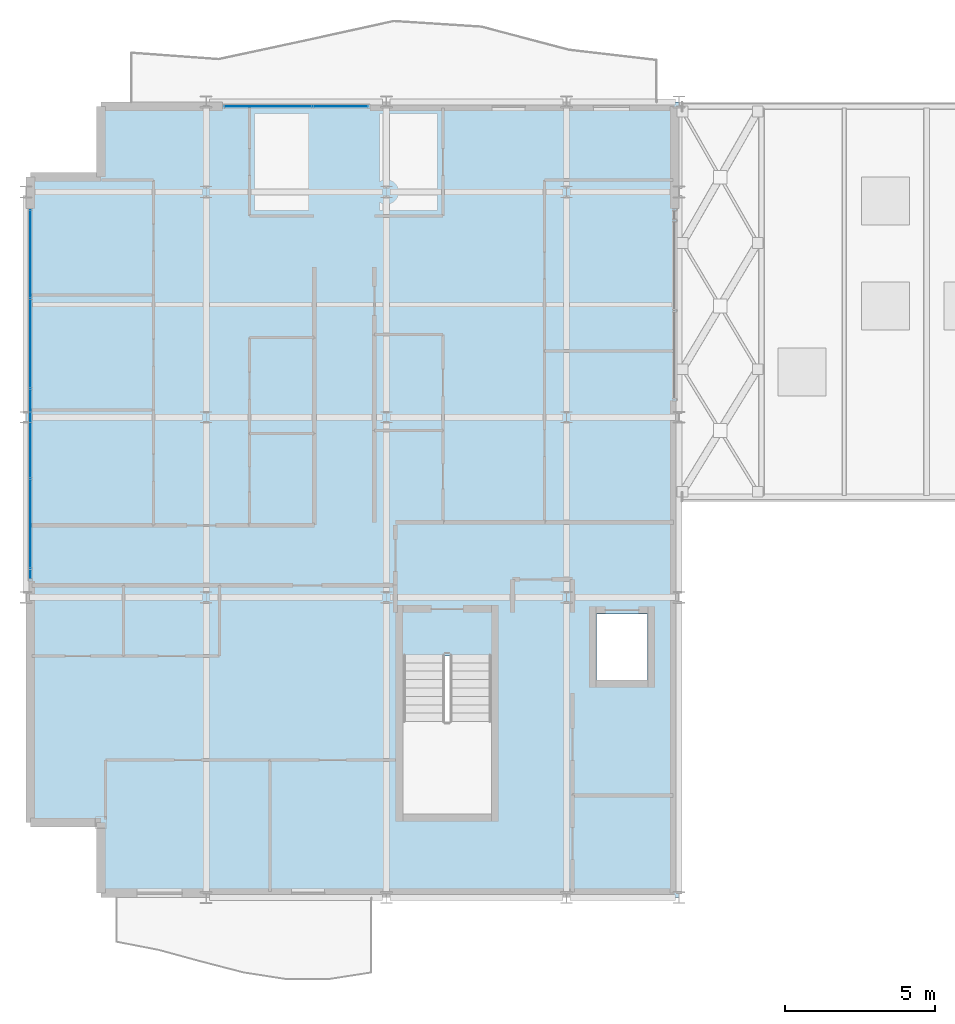
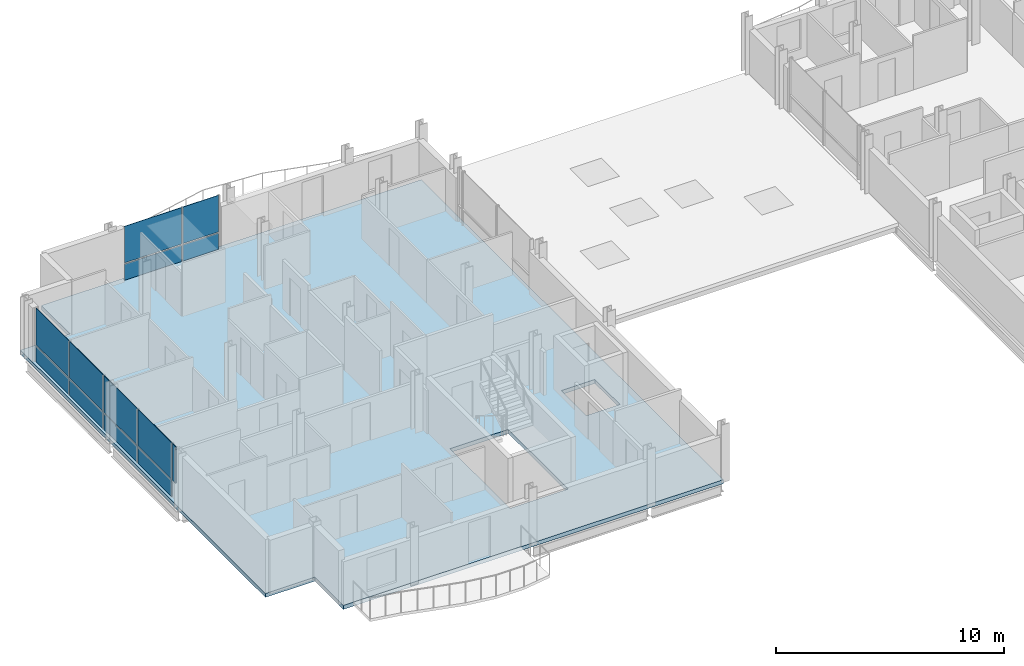
# One storey, part 20 of 33: 13 plates, 1 slab, 2 elements without a shape of their own.
"""IFC4 building model written with IfcOpenShell, lengths in metres."""

from ifc_helpers import new_model, si_unit, direction, frame, origin, origin_2d, place, context, subcontext, project, spatial, polyline, rectangle, outline, extrude, material, layer, layer_set, type_object, element, aggregate, save


model = new_model("IFC4")

# Units and contexts
model_context = context("Model", 3, precision=1e-05, world=origin(), true_north=direction((0.0, 1.0)))
body_context = subcontext(model_context, "Body", "Model", "MODEL_VIEW")
ifc_project = project(units=[si_unit("LENGTHUNIT", "METRE"), si_unit("AREAUNIT", "SQUARE_METRE"), si_unit("VOLUMEUNIT", "CUBIC_METRE"), si_unit("PLANEANGLEUNIT", "RADIAN"), si_unit("MASSUNIT", "GRAM", prefix="KILO")], contexts=[model_context])

# Site, building, storey
site_placement = place(None, origin())
site = spatial("IfcSite", under=ifc_project, at=site_placement, CompositionType="ELEMENT")
building_placement = place(site_placement, origin())
building = spatial("IfcBuilding", under=site, at=building_placement, Name="Brevholm Reach", CompositionType="ELEMENT")
storey_placement = place(building_placement, frame((0.0, 0.0, 189.39990234375)))
storey = spatial("IfcBuildingStorey", under=building, at=storey_placement, Name="L57", CompositionType="ELEMENT", Elevation=189.39990234375)

# Curtain wall, plates
ifc_material_1 = material(Name="Dark Anodised Aluminium 6063-T6 and Solar-Control Glass", Category="aluminium")
ifc_layer_1 = layer(ifc_material_1, 0.14990234375)
ifc_layer_set_1 = layer_set([ifc_layer_1], Name="Dark Anodised Aluminium 6063-T6 and Solar-Control Glass")
curtain_wall_type = type_object("IfcCurtainWallType", Name="CW-01", PredefinedType="NOTDEFINED", material=ifc_layer_set_1)
curtain_wall_1_placement = place(storey_placement, origin())
curtain_wall_1 = element("IfcCurtainWall", 1, at=curtain_wall_1_placement, inside=storey, type_object=curtain_wall_type, Name="L57 Curtain Wall CW-01", PredefinedType="NOTDEFINED")
ifc_material_2 = material(Name="Dark Solar-Control Double-Glazed IGU Glass", Category="glass")
ifc_layer_2 = layer(ifc_material_2, 0.028076171875)
ifc_layer_set_2 = layer_set([ifc_layer_2], Name="Dark Solar-Control Double-Glazed IGU Glass")
plate_type = type_object("IfcPlateType", Name="CWP-GLZ-28", PredefinedType="CURTAIN_PANEL", material=ifc_layer_set_2)
plate_1_placement = place(storey_placement, frame((0.14990234375, 21.433837890625, 0.0), z_axis=(0.0, 0.0, 1.0), x_axis=(0.0, -1.0, 0.0)))
plate_1 = element("IfcPlate", 2, at=plate_1_placement, type_object=plate_type, Name="CP-01 Glazing Panel 1.1", PredefinedType="CURTAIN_PANEL", context=body_context, shape_type="SweptSolid", body=[
    extrude(rectangle(XDim=2.902587890625, YDim=0.028076171875, at=origin_2d()), origin(), (0.0, 0.0, 1.0), 0.867431640625),
])
plate_2_placement = place(storey_placement, frame((0.14990234375, 21.433837890625, 0.9326171875), z_axis=(0.0, 0.0, 1.0), x_axis=(0.0, -1.0, 0.0)))
plate_2 = element("IfcPlate", 3, at=plate_2_placement, type_object=plate_type, Name="CP-01 Glazing Panel 1.2", PredefinedType="CURTAIN_PANEL", context=body_context, shape_type="SweptSolid", body=[
    extrude(rectangle(XDim=2.902587890625, YDim=0.028076171875, at=origin_2d()), origin(), (0.0, 0.0, 1.0), 1.95751953125),
])
plate_3_placement = place(storey_placement, frame((0.14990234375, 18.449951171875, 0.0), z_axis=(0.0, 0.0, 1.0), x_axis=(0.0, -1.0, 0.0)))
plate_3 = element("IfcPlate", 4, at=plate_3_placement, type_object=plate_type, Name="CP-01 Glazing Panel 2.1", PredefinedType="CURTAIN_PANEL", context=body_context, shape_type="SweptSolid", body=[
    extrude(rectangle(XDim=2.93505859375, YDim=0.028076171875, at=origin_2d()), origin(), (0.0, 0.0, 1.0), 0.867431640625),
])
plate_4_placement = place(storey_placement, frame((0.14990234375, 18.449951171875, 0.9326171875), z_axis=(0.0, 0.0, 1.0), x_axis=(0.0, -1.0, 0.0)))
plate_4 = element("IfcPlate", 5, at=plate_4_placement, type_object=plate_type, Name="CP-01 Glazing Panel 2.2", PredefinedType="CURTAIN_PANEL", context=body_context, shape_type="SweptSolid", body=[
    extrude(rectangle(XDim=2.93505859375, YDim=0.028076171875, at=origin_2d()), origin(), (0.0, 0.0, 1.0), 1.95751953125),
])
plate_5_placement = place(storey_placement, frame((0.14990234375, 15.449951171875, 0.0), z_axis=(0.0, 0.0, 1.0), x_axis=(0.0, -1.0, 0.0)))
plate_5 = element("IfcPlate", 6, at=plate_5_placement, type_object=plate_type, Name="CP-01 Glazing Panel 3.1", PredefinedType="CURTAIN_PANEL", context=body_context, shape_type="SweptSolid", body=[
    extrude(rectangle(XDim=2.93505859375, YDim=0.028076171875, at=origin_2d()), origin(), (0.0, 0.0, 1.0), 0.867431640625),
])
plate_6_placement = place(storey_placement, frame((0.14990234375, 15.449951171875, 0.9326171875), z_axis=(0.0, 0.0, 1.0), x_axis=(0.0, -1.0, 0.0)))
plate_6 = element("IfcPlate", 7, at=plate_6_placement, type_object=plate_type, Name="CP-01 Glazing Panel 3.2", PredefinedType="CURTAIN_PANEL", context=body_context, shape_type="SweptSolid", body=[
    extrude(rectangle(XDim=2.93505859375, YDim=0.028076171875, at=origin_2d()), origin(), (0.0, 0.0, 1.0), 1.95751953125),
])
plate_7_placement = place(storey_placement, frame((0.14990234375, 12.449951171875, 0.0), z_axis=(0.0, 0.0, 1.0), x_axis=(0.0, -1.0, 0.0)))
plate_7 = element("IfcPlate", 8, at=plate_7_placement, type_object=plate_type, Name="CP-01 Glazing Panel 4.1", PredefinedType="CURTAIN_PANEL", context=body_context, shape_type="SweptSolid", body=[
    extrude(rectangle(XDim=2.93505859375, YDim=0.028076171875, at=origin_2d()), origin(), (0.0, 0.0, 1.0), 0.867431640625),
])
plate_8_placement = place(storey_placement, frame((0.14990234375, 12.449951171875, 0.9326171875), z_axis=(0.0, 0.0, 1.0), x_axis=(0.0, -1.0, 0.0)))
plate_8 = element("IfcPlate", 9, at=plate_8_placement, type_object=plate_type, Name="CP-01 Glazing Panel 4.2", PredefinedType="CURTAIN_PANEL", context=body_context, shape_type="SweptSolid", body=[
    extrude(rectangle(XDim=2.93505859375, YDim=0.028076171875, at=origin_2d()), origin(), (0.0, 0.0, 1.0), 1.95751953125),
])
plate_9_placement = place(storey_placement, frame((0.14990234375, 10.766357421875, 0.9326171875), z_axis=(0.0, 0.0, 1.0), x_axis=(0.0, -1.0, 0.0)))
plate_9 = element("IfcPlate", 10, at=plate_9_placement, type_object=plate_type, Name="CP-01 Glazing Panel 5.2", PredefinedType="CURTAIN_PANEL", context=body_context, shape_type="SweptSolid", body=[
    extrude(rectangle(XDim=0.302490234375, YDim=0.028076171875, at=origin_2d()), origin(), (0.0, 0.0, 1.0), 1.95751953125),
])
aggregate(curtain_wall_1, [plate_1, plate_2, plate_3, plate_4, plate_5, plate_6, plate_7, plate_8, plate_9])

curtain_wall_2_placement = place(storey_placement, origin())
curtain_wall_2 = element("IfcCurtainWall", 11, at=curtain_wall_2_placement, inside=storey, type_object=curtain_wall_type, Name="L57 Curtain Wall CW-01", PredefinedType="NOTDEFINED")
plate_10_placement = place(storey_placement, frame((8.066162109375, 26.35009765625, 0.0), z_axis=(0.0, 0.0, 1.0), x_axis=(1.0, 0.0, 0.0)))
plate_10 = element("IfcPlate", 12, at=plate_10_placement, type_object=plate_type, Name="CP-01 Glazing Panel 1.1", PredefinedType="CURTAIN_PANEL", context=body_context, shape_type="SweptSolid", body=[
    extrude(rectangle(XDim=2.902587890625, YDim=0.028076171875, at=origin_2d()), origin(), (0.0, 0.0, 1.0), 0.867431640625),
])
plate_11_placement = place(storey_placement, frame((8.066162109375, 26.35009765625, 0.9326171875), z_axis=(0.0, 0.0, 1.0), x_axis=(1.0, 0.0, 0.0)))
plate_11 = element("IfcPlate", 13, at=plate_11_placement, type_object=plate_type, Name="CP-01 Glazing Panel 1.2", PredefinedType="CURTAIN_PANEL", context=body_context, shape_type="SweptSolid", body=[
    extrude(rectangle(XDim=2.902587890625, YDim=0.028076171875, at=origin_2d()), origin(), (0.0, 0.0, 1.0), 1.95751953125),
])
plate_12_placement = place(storey_placement, frame((10.483642578125, 26.35009765625, 0.0), z_axis=(0.0, 0.0, 1.0), x_axis=(1.0, 0.0, 0.0)))
plate_12 = element("IfcPlate", 14, at=plate_12_placement, type_object=plate_type, Name="CP-01 Glazing Panel 2.1", PredefinedType="CURTAIN_PANEL", context=body_context, shape_type="SweptSolid", body=[
    extrude(rectangle(XDim=1.802490234375, YDim=0.028076171875, at=origin_2d()), origin(), (0.0, 0.0, 1.0), 0.867431640625),
])
plate_13_placement = place(storey_placement, frame((10.483642578125, 26.35009765625, 0.9326171875), z_axis=(0.0, 0.0, 1.0), x_axis=(1.0, 0.0, 0.0)))
plate_13 = element("IfcPlate", 15, at=plate_13_placement, type_object=plate_type, Name="CP-01 Glazing Panel 2.2", PredefinedType="CURTAIN_PANEL", context=body_context, shape_type="SweptSolid", body=[
    extrude(rectangle(XDim=1.802490234375, YDim=0.028076171875, at=origin_2d()), origin(), (0.0, 0.0, 1.0), 1.95751953125),
])
aggregate(curtain_wall_2, [plate_10, plate_11, plate_12, plate_13])

# Slab
ifc_material_3 = material(Name="Concrete C40/50", Category="concrete")
ifc_layer_3 = layer(ifc_material_3, 0.2099609375)
ifc_layer_set_3 = layer_set([ifc_layer_3], Name="Concrete C40/50")
slab_type = type_object("IfcSlabType", Name="SLB-FL-210", PredefinedType="FLOOR", material=ifc_layer_set_3)
slab_placement = place(storey_placement, frame((0.0, 0.0, -0.2099609375)))
element("IfcSlab", 16, at=slab_placement, inside=storey, type_object=slab_type, Name="L57 Suspended Floor Slab (west-wing)", PredefinedType="FLOOR", context=body_context, shape_type="SweptSolid", body=[
    extrude(outline(polyline([(2.5, 0.0), (21.75, 0.0), (21.75, 26.5), (2.5, 26.5), (2.5, 24.0), (0.0, 24.0), (0.0, 2.5), (2.5, 2.5), (2.5, 0.0)]), holes=[polyline([(12.550048828125, 2.780029296875), (15.5, 2.780029296875), (15.5, 8.044921875), (12.550048828125, 8.044921875), (12.550048828125, 2.780029296875)]), polyline([(19.0, 7.25), (20.699951171875, 7.25), (20.699951171875, 9.449951171875), (19.0, 9.449951171875), (19.0, 7.25)])]), origin(), (0.0, 0.0, 1.0), 0.2099609375),
])

save(model, "model.ifc")
